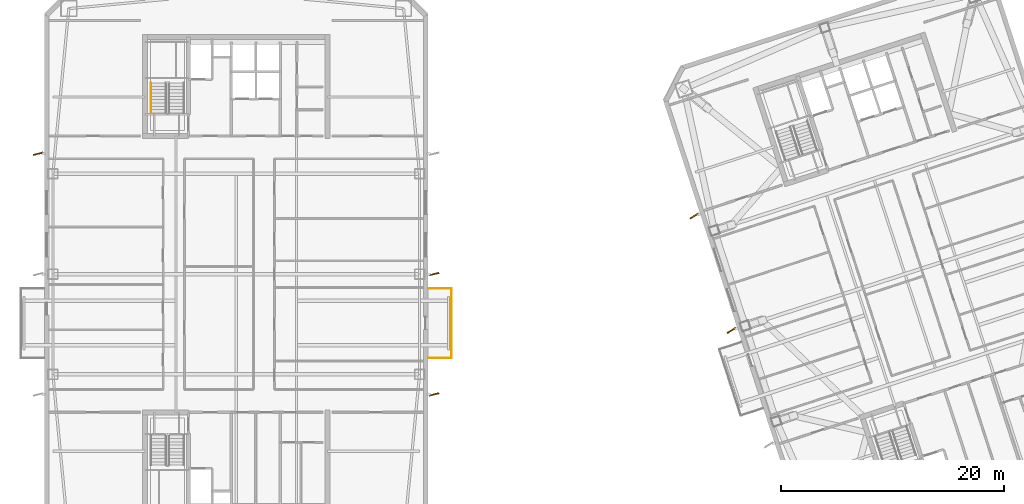
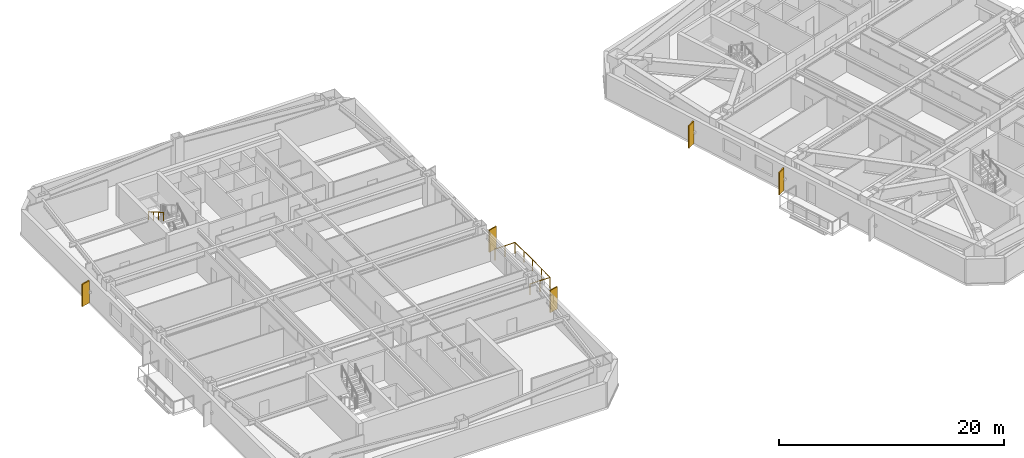
# One storey, part 15 of 18: 5 shading devices, 2 railings.
"""IFC4 building model written with IfcOpenShell, lengths in metres."""

from ifc_helpers import new_model, si_unit, direction, frame, origin, origin_2d, place, context, subcontext, project, spatial, rectangle, circle, extrude, material, layer, layer_set, type_object, element, save


model = new_model("IFC4")

# Units and contexts
model_context = context("Model", 3, precision=1e-05, world=origin(), true_north=direction((0.0, 1.0)))
body_context = subcontext(model_context, "Body", "Model", "MODEL_VIEW")
ifc_project = project(units=[si_unit("LENGTHUNIT", "METRE"), si_unit("AREAUNIT", "SQUARE_METRE"), si_unit("VOLUMEUNIT", "CUBIC_METRE"), si_unit("PLANEANGLEUNIT", "RADIAN"), si_unit("MASSUNIT", "GRAM", prefix="KILO")], contexts=[model_context])

# Site, building, storey
site_placement = place(None, origin())
site = spatial("IfcSite", under=ifc_project, at=site_placement, CompositionType="ELEMENT")
building_placement = place(site_placement, origin())
building = spatial("IfcBuilding", under=site, at=building_placement, Name="Qiaolan Cultural Towers", CompositionType="ELEMENT")
storey_placement = place(building_placement, frame((0.0, 0.0, 195.5)))
storey = spatial("IfcBuildingStorey", under=building, at=storey_placement, Name="L52", CompositionType="ELEMENT", Elevation=195.5)

# Railings
ifc_material_1 = material(Name="Laminated SentryGlas & Stainless Steel S31608 Balustrade", Category="steel")
railing_type_1 = type_object("IfcRailingType", Name="GRD-TERR-1200", PredefinedType="BALUSTRADE", material=ifc_material_1)
railing_1_placement = place(storey_placement, frame((47.25, 26.47998046875, 0.0)))
element("IfcRailing", 1, at=railing_1_placement, inside=storey, type_object=railing_type_1, Name="L52 T1 Tree Balcony Guardrail E", PredefinedType="BALUSTRADE", context=body_context, shape_type="SweptSolid", body=[
    extrude(circle(Radius=0.02392578125, at=origin_2d()), frame((0.0, 0.0, 1.17578125), z_axis=(1.0, 0.0, 0.0), x_axis=(0.0, 1.0, 0.0)), (0.0, 0.0, 1.0), 2.070068359375),
    extrude(circle(Radius=0.02392578125, at=origin_2d()), frame((2.070068359375, 0.0, 1.17578125), z_axis=(0.0, 1.0, 0.0), x_axis=(-1.0, 0.0, 0.0)), (0.0, 0.0, 1.0), 6.239990234375),
    extrude(circle(Radius=0.02392578125, at=origin_2d()), frame((2.070068359375, 6.239990234375, 1.17578125), z_axis=(-1.0, 0.0, 0.0), x_axis=(0.0, -1.0, 0.0)), (0.0, 0.0, 1.0), 2.070068359375),
    extrude(circle(Radius=0.02099609375, at=origin_2d()), origin(), (0.0, 0.0, 1.0), 1.15185546875),
    extrude(circle(Radius=0.02099609375, at=origin_2d()), frame((1.03515625, 0.0, 0.0)), (0.0, 0.0, 1.0), 1.15185546875),
    extrude(circle(Radius=0.02099609375, at=origin_2d()), frame((2.070068359375, 0.0, 0.0)), (0.0, 0.0, 1.0), 1.15185546875),
    extrude(circle(Radius=0.02099609375, at=origin_2d()), frame((2.070068359375, 1.56005859375, 0.0)), (0.0, 0.0, 1.0), 1.15185546875),
    extrude(circle(Radius=0.02099609375, at=origin_2d()), frame((2.070068359375, 3.1201171875, 0.0)), (0.0, 0.0, 1.0), 1.15185546875),
    extrude(circle(Radius=0.02099609375, at=origin_2d()), frame((2.070068359375, 4.679931640625, 0.0)), (0.0, 0.0, 1.0), 1.15185546875),
    extrude(circle(Radius=0.02099609375, at=origin_2d()), frame((2.070068359375, 6.239990234375, 0.0)), (0.0, 0.0, 1.0), 1.15185546875),
    extrude(circle(Radius=0.02099609375, at=origin_2d()), frame((1.03515625, 6.239990234375, 0.0)), (0.0, 0.0, 1.0), 1.15185546875),
    extrude(circle(Radius=0.02099609375, at=origin_2d()), frame((0.0, 6.239990234375, 0.0)), (0.0, 0.0, 1.0), 1.15185546875),
])
ifc_material_2 = material(Name="Stainless Steel S30408 Tubular Handrail", Category="steel")
railing_type_2 = type_object("IfcRailingType", Name="RL-STAIR-HR", PredefinedType="HANDRAIL", material=ifc_material_2)
railing_2_placement = place(storey_placement, frame((22.35009765625, 51.14990234375, 1.8974609375)))
element("IfcRailing", 2, at=railing_2_placement, inside=storey, type_object=railing_type_2, Name="L52 ST-W2 stair handrail 2", PredefinedType="HANDRAIL", context=body_context, shape_type="SweptSolid", body=[
    extrude(circle(Radius=0.02392578125, at=origin_2d()), frame((0.0, 0.0, 0.8759765625), z_axis=(0.0, -0.866903762492, 0.498475542607), x_axis=(1.0, 0.0, 0.0)), (0.0, 0.0, 1.0), 3.114501953125),
    extrude(circle(Radius=0.02099609375, at=origin_2d()), origin(), (0.0, 0.0, 1.0), 0.851806640625),
    extrude(circle(Radius=0.02099609375, at=origin_2d()), frame((0.0, -0.89990234375, 0.517578125)), (0.0, 0.0, 1.0), 0.851806640625),
    extrude(circle(Radius=0.02099609375, at=origin_2d()), frame((0.0, -1.800048828125, 1.034912109375)), (0.0, 0.0, 1.0), 0.851806640625),
    extrude(circle(Radius=0.02099609375, at=origin_2d()), frame((0.0, -2.699951171875, 1.552490234375)), (0.0, 0.0, 1.0), 0.851806640625),
])

# Shading devices
ifc_material_3 = material(Name="Pierced Warm Terracotta Acoustic Fin", Category="masonry")
ifc_layer = layer(ifc_material_3, 0.1201171875)
ifc_layer_set = layer_set([ifc_layer], Name="Pierced Warm Terracotta Acoustic Fin")
shading_device_type = type_object("IfcShadingDeviceType", Name="SHD-FIN-PIERCED", PredefinedType="USERDEFINED", material=ifc_layer_set)
for number, where, z_axis, x_axis, name in (
    (3, (12.239990234375, 44.800048828125, 0.10009765625), (0.0, 0.0, 1.0), (0.969891617581, 0.243536958479, 0.0), "L52 T1 Expressive Precast Vertical Fin W3"),
    (4, (47.760009765625, 23.199951171875, 0.10009765625), (0.0, 0.0, 1.0), (0.969891617581, 0.243536958479, 0.0), "L52 T1 Expressive Precast Vertical Fin E1"),
    (5, (47.760009765625, 34.0, 0.10009765625), (0.0, 0.0, 1.0), (0.969891617581, 0.243536958479, 0.0), "L52 T1 Expressive Precast Vertical Fin E2"),
    (6, (74.440673828125, 28.944580078125, 0.10009765625), (0.0, 0.0, 1.0), (0.847164684072, 0.531330403855, 0.0), "L52 T2 Expressive Precast Vertical Fin W2"),
    (7, (71.103271484375, 39.2158203125, 0.10009765625), (0.0, 0.0, 1.0), (0.847164684072, 0.531330403855, 0.0), "L52 T2 Expressive Precast Vertical Fin W3"),
):
    element("IfcShadingDevice", number, at=place(storey_placement, frame(where, z_axis=z_axis, x_axis=x_axis)), inside=storey, type_object=shading_device_type, Name=name, ObjectType="FIN", PredefinedType="USERDEFINED", context=body_context, shape_type="SweptSolid", body=[
        extrude(rectangle(XDim=0.89990234375, YDim=0.1201171875, at=origin_2d()), origin(), (0.0, 0.0, 1.0), 2.409912109375),
    ])

save(model, "model.ifc")
